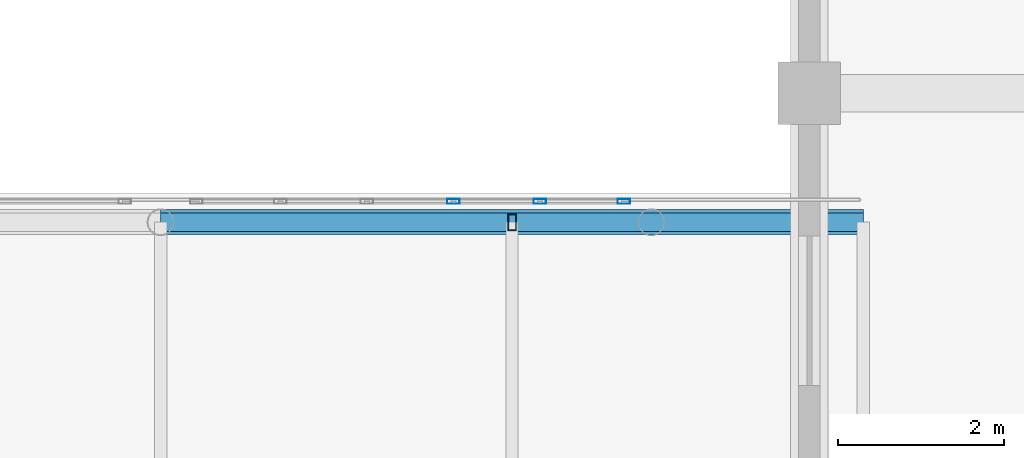
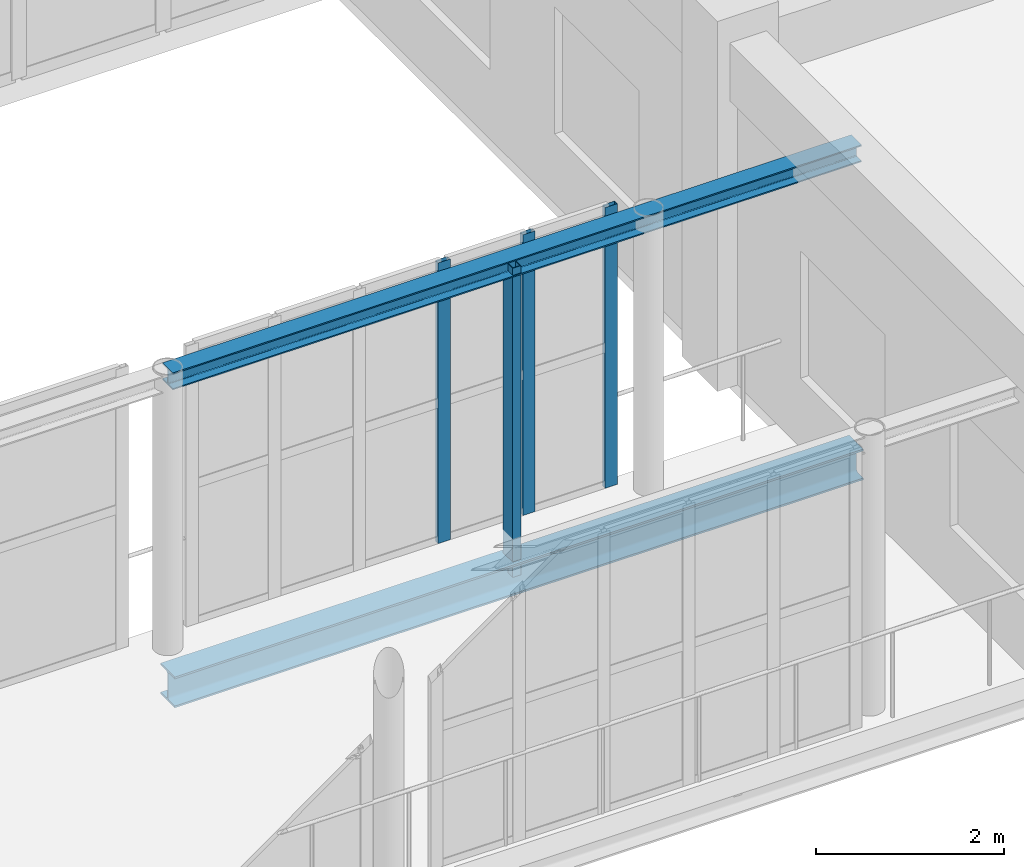
# One storey, part 79 of 167: 5 members, 1 beam, 1 element without a shape of its own.
"""IFC4 building model written with IfcOpenShell, lengths in metres."""

from ifc_helpers import new_model, si_unit, direction, frame, origin, origin_2d, place, context, subcontext, project, spatial, hollow_rectangle, i_section, extrude, material, layer, layer_set, material_profile, profile_set, type_object, element, aggregate, save


model = new_model("IFC4")

# Units and contexts
model_context = context("Model", 3, precision=1e-05, world=origin(), true_north=direction((0.0, 1.0)))
body_context = subcontext(model_context, "Body", "Model", "MODEL_VIEW")
ifc_project = project(units=[si_unit("LENGTHUNIT", "METRE"), si_unit("AREAUNIT", "SQUARE_METRE"), si_unit("VOLUMEUNIT", "CUBIC_METRE"), si_unit("PLANEANGLEUNIT", "RADIAN"), si_unit("MASSUNIT", "GRAM", prefix="KILO")], contexts=[model_context])

# Site, building, storey
site_placement = place(None, origin())
site = spatial("IfcSite", under=ifc_project, at=site_placement, CompositionType="ELEMENT")
building_placement = place(site_placement, origin())
building = spatial("IfcBuilding", under=site, at=building_placement, Name="Zizhar Promenade General Hospital", CompositionType="ELEMENT")
storey_placement = place(building_placement, frame((0.0, 0.0, 9.60009765625)))
storey = spatial("IfcBuildingStorey", under=building, at=storey_placement, Name="L02", CompositionType="ELEMENT", Elevation=9.60009765625)

# Beam
ifc_material_1 = material(Name="Steel S355", Category="steel")
ifc_material_profile_1 = material_profile(ifc_material_1, i_section(OverallWidth=0.300048828125, OverallDepth=0.39990234375, WebThickness=0.013427734375, FlangeThickness=0.02392578125, FilletRadius=0.027099609375, at=origin_2d()))
ifc_profile_set_1 = profile_set([ifc_material_profile_1], Name="Steel S355")
beam_type = type_object("IfcBeamType", Name="BM-STL-HEB400", PredefinedType="BEAM", material=ifc_profile_set_1)
beam_placement = place(storey_placement, frame((117.0, 82.449951171875, -0.5), z_axis=(1.0, 0.0, 0.0), x_axis=(0.0, 1.0, 0.0)))
element("IfcBeam", 1, at=beam_placement, inside=storey, type_object=beam_type, Name="SB-2 Bottom Chord 4N", PredefinedType="BEAM", context=body_context, shape_type="SweptSolid", body=[
    extrude(i_section(OverallWidth=0.300048828125, OverallDepth=0.39990234375, WebThickness=0.013427734375, FlangeThickness=0.02392578125, FilletRadius=0.027099609375, at=origin_2d()), origin(), (0.0, 0.0, 1.0), 8.449951171875),
])

# Curtain wall, members
ifc_material_2 = material(Name="Anodised aluminium 6063-T6 and low-E glass", Category="aluminium")
ifc_layer = layer(ifc_material_2, 0.159912109375)
ifc_layer_set = layer_set([ifc_layer], Name="Anodised aluminium 6063-T6 and low-E glass")
curtain_wall_type = type_object("IfcCurtainWallType", Name="CW-SKY-GLZ", PredefinedType="NOTDEFINED", material=ifc_layer_set)
curtain_wall_placement = place(storey_placement, origin())
curtain_wall = element("IfcCurtainWall", 2, at=curtain_wall_placement, inside=storey, type_object=curtain_wall_type, Name="Courtyard Surgical-Clinic Skybridge Level L02 North Glazing 4", PredefinedType="NOTDEFINED")
ifc_material_3 = material(Name="Anodised aluminium 6063-T6", Category="aluminium")
ifc_material_profile_2 = material_profile(ifc_material_3, hollow_rectangle(XDim=0.06005859375, YDim=0.14990234375, WallThickness=0.00390625, at=origin_2d()))
ifc_profile_set_2 = profile_set([ifc_material_profile_2], Name="Anodised aluminium 6063-T6")
member_type_1 = type_object("IfcMemberType", Name="CWM-ALU-150x60", PredefinedType="MULLION", material=ifc_profile_set_2)
member_1_placement = place(storey_placement, frame((120.52001953125, 82.699951171875, 0.0), z_axis=(0.0, 0.0, 1.0), x_axis=(0.0, 1.0, 0.0)))
member_1 = element("IfcMember", 3, at=member_1_placement, type_object=member_type_1, Name="CW-15 mullion 4", PredefinedType="MULLION", context=body_context, shape_type="SweptSolid", body=[
    extrude(hollow_rectangle(XDim=0.06005859375, YDim=0.14990234375, WallThickness=0.00390625, at=origin_2d()), origin(), (0.0, 0.0, 1.0), 3.639892578125),
])
member_2_placement = place(storey_placement, frame((121.56005859375, 82.699951171875, 0.0), z_axis=(0.0, 0.0, 1.0), x_axis=(0.0, 1.0, 0.0)))
member_2 = element("IfcMember", 4, at=member_2_placement, type_object=member_type_1, Name="CW-15 mullion 5", PredefinedType="MULLION", context=body_context, shape_type="SweptSolid", body=[
    extrude(hollow_rectangle(XDim=0.06005859375, YDim=0.14990234375, WallThickness=0.00390625, at=origin_2d()), origin(), (0.0, 0.0, 1.0), 3.639892578125),
])
member_3_placement = place(storey_placement, frame((122.570068359375, 82.699951171875, 0.0), z_axis=(0.0, 0.0, 1.0), x_axis=(0.0, 1.0, 0.0)))
member_3 = element("IfcMember", 5, at=member_3_placement, type_object=member_type_1, Name="CW-15 mullion 6", PredefinedType="MULLION", context=body_context, shape_type="SweptSolid", body=[
    extrude(hollow_rectangle(XDim=0.06005859375, YDim=0.14990234375, WallThickness=0.00390625, at=origin_2d()), origin(), (0.0, 0.0, 1.0), 3.639892578125),
])
aggregate(curtain_wall, [member_1, member_2, member_3])

# Members
ifc_material_4 = material(Name="Steel S355", Category="steel")
ifc_material_profile_3 = material_profile(ifc_material_4, i_section(OverallWidth=0.219970703125, OverallDepth=0.219970703125, WebThickness=0.009521484375, FlangeThickness=0.01611328125, FilletRadius=0.01806640625, at=origin_2d()))
ifc_profile_set_3 = profile_set([ifc_material_profile_3], Name="Steel S355")
member_type_2 = type_object("IfcMemberType", Name="MEM-CHORD-HEB220", PredefinedType="CHORD", material=ifc_profile_set_3)
member_4_placement = place(storey_placement, frame((117.0, 82.449951171875, 3.510009765625), z_axis=(1.0, 0.0, 0.0), x_axis=(0.0, 1.0, 0.0)))
element("IfcMember", 6, at=member_4_placement, inside=storey, type_object=member_type_2, Name="SB-2 Top Chord 4N", PredefinedType="CHORD", context=body_context, shape_type="SweptSolid", body=[
    extrude(i_section(OverallWidth=0.219970703125, OverallDepth=0.219970703125, WebThickness=0.009521484375, FlangeThickness=0.01611328125, FilletRadius=0.01806640625, at=origin_2d()), origin(), (0.0, 0.0, 1.0), 8.449951171875),
])
ifc_material_5 = material(Name="Steel S355", Category="steel")
ifc_material_profile_4 = material_profile(ifc_material_5, hollow_rectangle(XDim=0.10009765625, YDim=0.199951171875, WallThickness=0.008056640625, at=origin_2d()))
ifc_profile_set_4 = profile_set([ifc_material_profile_4], Name="Steel S355")
member_type_3 = type_object("IfcMemberType", Name="MEM-STRUT-RHS200", PredefinedType="STRUT", material=ifc_profile_set_4)
member_5_placement = place(storey_placement, frame((121.22509765625, 82.449951171875, -0.5), z_axis=(0.0, 0.0, 1.0), x_axis=(1.0, 0.0, 0.0)))
element("IfcMember", 7, at=member_5_placement, inside=storey, type_object=member_type_3, Name="SB-2 Vierendeel Post 4N", PredefinedType="STRUT", context=body_context, shape_type="SweptSolid", body=[
    extrude(hollow_rectangle(XDim=0.10009765625, YDim=0.199951171875, WallThickness=0.008056640625, at=origin_2d()), origin(), (0.0, 0.0, 1.0), 4.010009765625),
])

save(model, "model.ifc")
